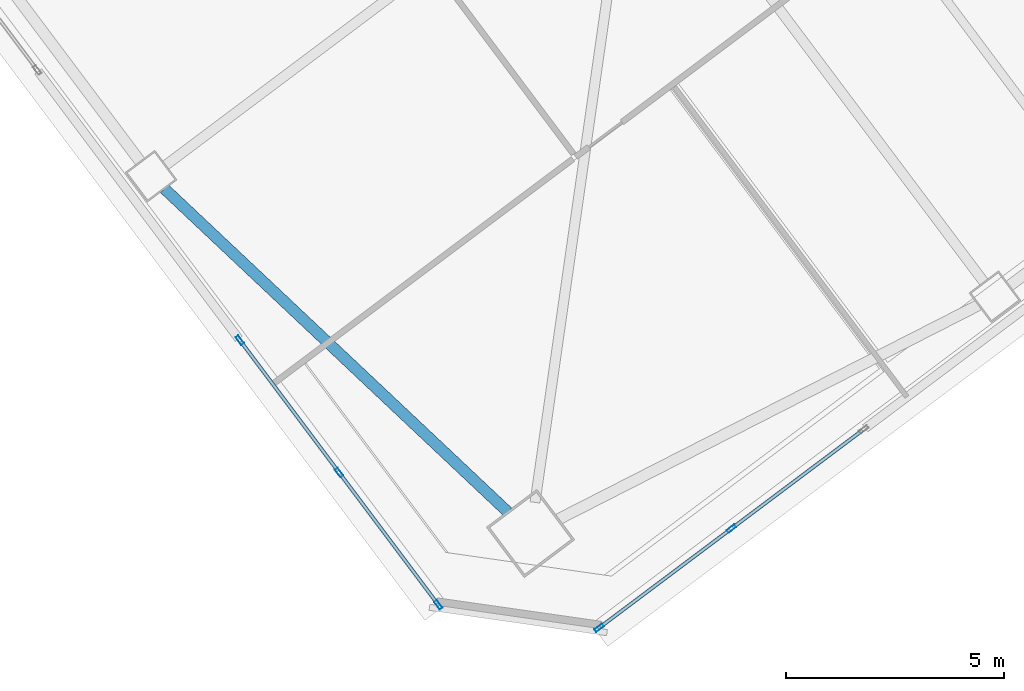
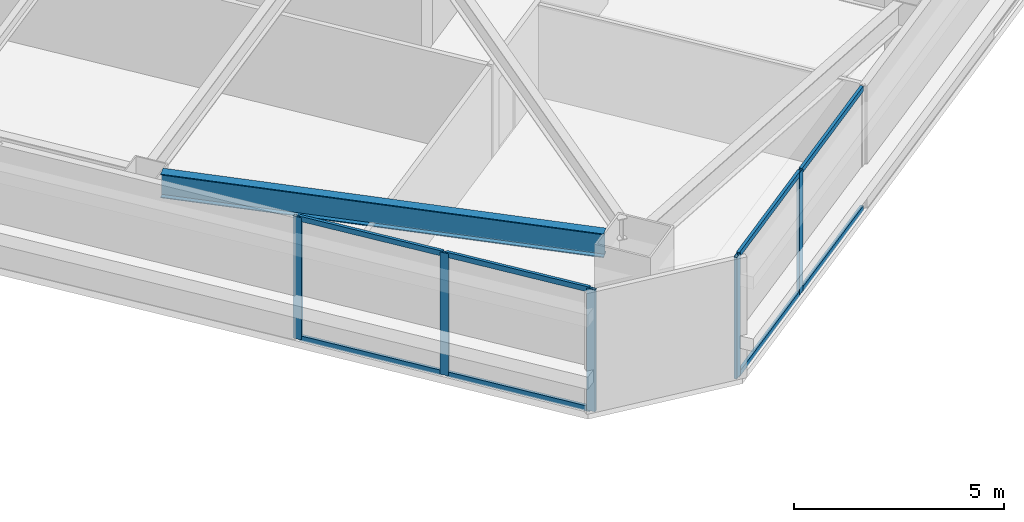
# One storey, part 17 of 44: 13 members, 1 beam, 2 elements without a shape of their own.
"""IFC4 building model written with IfcOpenShell, lengths in metres."""

from ifc_helpers import new_model, si_unit, direction, frame, origin, origin_2d, place, context, subcontext, project, spatial, hollow_rectangle, i_section, extrude, material, material_profile, profile_set, type_object, element, aggregate, save


model = new_model("IFC4")

# Units and contexts
model_context = context("Model", 3, precision=1e-05, world=origin(), true_north=direction((0.0, 1.0)))
body_context = subcontext(model_context, "Body", "Model", "MODEL_VIEW")
ifc_project = project(units=[si_unit("LENGTHUNIT", "METRE"), si_unit("AREAUNIT", "SQUARE_METRE"), si_unit("VOLUMEUNIT", "CUBIC_METRE"), si_unit("PLANEANGLEUNIT", "RADIAN"), si_unit("MASSUNIT", "GRAM", prefix="KILO")], contexts=[model_context])

# Site, building, storey
site_placement = place(None, origin())
site = spatial("IfcSite", under=ifc_project, at=site_placement, CompositionType="ELEMENT")
building_placement = place(site_placement, origin())
building = spatial("IfcBuilding", under=site, at=building_placement, Name="Tashvorn Skyway Center", CompositionType="ELEMENT")
storey_placement = place(building_placement, frame((0.0, 0.0, 95.60009765625)))
storey = spatial("IfcBuildingStorey", under=building, at=storey_placement, Name="L25", CompositionType="ELEMENT", Elevation=95.60009765625)

# Beam
ifc_material_1 = material(Name="Steel ASTM A992 Grade 50", Category="steel")
ifc_material_profile_1 = material_profile(ifc_material_1, i_section(OverallWidth=0.256103515625, OverallDepth=0.693115234375, WebThickness=0.014404296875, FlangeThickness=0.023681640625, at=origin_2d()), Name="W27X114")
ifc_profile_set_1 = profile_set([ifc_material_profile_1], Name="Steel ASTM A992 Grade 50")
beam_type = type_object("IfcBeamType", Name="BM-SPANDREL-W27X114", PredefinedType="SPANDREL", material=ifc_profile_set_1)
beam_placement = place(storey_placement, frame((102.145751953125, 15.842041015625, 3.00341796875), z_axis=(0.728086883893, -0.685484857238, 0.0), x_axis=(0.685484857238, 0.728086883893, 0.0)))
element("IfcBeam", 1, at=beam_placement, inside=storey, type_object=beam_type, Name="Tower 2 L25 Spandrel Beam 12", PredefinedType="SPANDREL", context=body_context, shape_type="SweptSolid", body=[
    extrude(i_section(OverallWidth=0.256103515625, OverallDepth=0.693115234375, WebThickness=0.014404296875, FlangeThickness=0.023681640625, at=origin_2d()), origin(), (0.0, 0.0, 1.0), 10.8369140625),
])

# Curtain wall, members
ifc_material_2 = material(Name="Thermally broken bronze-anodized aluminium 6063-T6", Category="aluminium")
curtain_wall_type = type_object("IfcCurtainWallType", Name="CW-CW-Z2", PredefinedType="NOTDEFINED", material=ifc_material_2)
curtain_wall_1_placement = place(storey_placement, origin())
curtain_wall_1 = element("IfcCurtainWall", 2, at=curtain_wall_1_placement, inside=storey, type_object=curtain_wall_type, Name="Tower 2 L25 South Unitised Curtain Wall Glazing Group 3", PredefinedType="NOTDEFINED")
ifc_material_profile_2 = material_profile(ifc_material_2, hollow_rectangle(XDim=0.080078125, YDim=0.219970703125, WallThickness=0.0048828125, at=origin_2d()), Name="ALU-MULL-80x220")
ifc_profile_set_2 = profile_set([ifc_material_profile_2], Name="Thermally broken bronze-anodized aluminium 6063-T6")
member_type_1 = type_object("IfcMemberType", Name="CWM-CW-Z2", PredefinedType="MULLION", material=ifc_profile_set_2)
member_1_placement = place(storey_placement, frame((115.176025390625, 8.031982421875, 0.0), z_axis=(0.0, 0.0, 1.0), x_axis=(0.600000000002, -0.799999999998, 0.0)))
member_1 = element("IfcMember", 3, at=member_1_placement, type_object=member_type_1, Name="CW-Z2 mullion 2", PredefinedType="MULLION", context=body_context, shape_type="SweptSolid", body=[
    extrude(hollow_rectangle(XDim=0.080078125, YDim=0.219970703125, WallThickness=0.0048828125, at=origin_2d()), origin(), (0.0, 0.0, 1.0), 3.5498046875),
])
member_2_placement = place(storey_placement, frame((112.135986328125, 5.751953125, 0.0), z_axis=(0.0, 0.0, 1.0), x_axis=(0.600000000002, -0.799999999998, 0.0)))
member_2 = element("IfcMember", 4, at=member_2_placement, type_object=member_type_1, Name="CW-Z2 mullion 3", PredefinedType="MULLION", context=body_context, shape_type="SweptSolid", body=[
    extrude(hollow_rectangle(XDim=0.080078125, YDim=0.219970703125, WallThickness=0.0048828125, at=origin_2d()), origin(), (0.0, 0.0, 1.0), 3.5498046875),
])

curtain_wall_2_placement = place(storey_placement, origin())
curtain_wall_2 = element("IfcCurtainWall", 5, at=curtain_wall_2_placement, inside=storey, type_object=curtain_wall_type, Name="Tower 2 L25 West Unitised Curtain Wall Glazing Group 1", PredefinedType="NOTDEFINED")
member_3_placement = place(storey_placement, frame((108.43994140625, 6.280029296875, 0.0), z_axis=(0.0, 0.0, 1.0), x_axis=(-0.799999999998, -0.600000000002, 0.0)))
member_3 = element("IfcMember", 6, at=member_3_placement, type_object=member_type_1, Name="CW-Z2 mullion 1", PredefinedType="MULLION", context=body_context, shape_type="SweptSolid", body=[
    extrude(hollow_rectangle(XDim=0.080078125, YDim=0.219970703125, WallThickness=0.0048828125, at=origin_2d()), origin(), (0.0, 0.0, 1.0), 3.5498046875),
])
member_4_placement = place(storey_placement, frame((106.159912109375, 9.320068359375, 0.0), z_axis=(0.0, 0.0, 1.0), x_axis=(-0.799999999998, -0.600000000002, 0.0)))
member_4 = element("IfcMember", 7, at=member_4_placement, type_object=member_type_1, Name="CW-Z2 mullion 2", PredefinedType="MULLION", context=body_context, shape_type="SweptSolid", body=[
    extrude(hollow_rectangle(XDim=0.080078125, YDim=0.219970703125, WallThickness=0.0048828125, at=origin_2d()), origin(), (0.0, 0.0, 1.0), 3.5498046875),
])
member_5_placement = place(storey_placement, frame((103.8798828125, 12.360107421875, 0.0), z_axis=(0.0, 0.0, 1.0), x_axis=(-0.799999999998, -0.600000000002, 0.0)))
member_5 = element("IfcMember", 8, at=member_5_placement, type_object=member_type_1, Name="CW-Z2 mullion 3", PredefinedType="MULLION", context=body_context, shape_type="SweptSolid", body=[
    extrude(hollow_rectangle(XDim=0.080078125, YDim=0.219970703125, WallThickness=0.0048828125, at=origin_2d()), origin(), (0.0, 0.0, 1.0), 3.5498046875),
])

# Member
ifc_material_profile_3 = material_profile(ifc_material_2, hollow_rectangle(XDim=0.080078125, YDim=0.14990234375, WallThickness=0.00439453125, at=origin_2d()), Name="ALU-TRAN-80x150")
ifc_profile_set_3 = profile_set([ifc_material_profile_3], Name="Thermally broken bronze-anodized aluminium 6063-T6")
member_type_2 = type_object("IfcMemberType", Name="CWT-CW-Z2", PredefinedType="USERDEFINED", material=ifc_profile_set_3)
member_6_placement = place(storey_placement, frame((118.18408203125, 10.2880859375, 0.039794921875), z_axis=(-0.799984249419, -0.6000210002, 0.0), x_axis=(0.6000210002, -0.799984249419, 0.0)))
member_6 = element("IfcMember", 9, at=member_6_placement, type_object=member_type_2, Name="CW-Z2 transom 1.1", ObjectType="TRANSOM", PredefinedType="USERDEFINED", context=body_context, shape_type="SweptSolid", body=[
    extrude(hollow_rectangle(XDim=0.080078125, YDim=0.14990234375, WallThickness=0.00439453125, at=origin_2d()), origin(), (0.0, 0.0, 1.0), 3.72021484375),
])

member_7_placement = place(storey_placement, frame((118.18408203125, 10.2880859375, 3.510009765625), z_axis=(-0.799984249419, -0.6000210002, 0.0), x_axis=(0.6000210002, -0.799984249419, 0.0)))
member_7 = element("IfcMember", 10, at=member_7_placement, type_object=member_type_2, Name="CW-Z2 transom 1.2", ObjectType="TRANSOM", PredefinedType="USERDEFINED", context=body_context, shape_type="SweptSolid", body=[
    extrude(hollow_rectangle(XDim=0.080078125, YDim=0.14990234375, WallThickness=0.00439453125, at=origin_2d()), origin(), (0.0, 0.0, 1.0), 3.72021484375),
])

member_8_placement = place(storey_placement, frame((115.14404296875, 8.008056640625, 0.039794921875), z_axis=(-0.799984249419, -0.6000210002, 0.0), x_axis=(0.6000210002, -0.799984249419, 0.0)))
member_8 = element("IfcMember", 11, at=member_8_placement, type_object=member_type_2, Name="CW-Z2 transom 2.1", ObjectType="TRANSOM", PredefinedType="USERDEFINED", context=body_context, shape_type="SweptSolid", body=[
    extrude(hollow_rectangle(XDim=0.080078125, YDim=0.14990234375, WallThickness=0.00439453125, at=origin_2d()), origin(), (0.0, 0.0, 1.0), 3.72021484375),
])

member_9_placement = place(storey_placement, frame((115.14404296875, 8.008056640625, 3.510009765625), z_axis=(-0.799984249419, -0.6000210002, 0.0), x_axis=(0.6000210002, -0.799984249419, 0.0)))
member_9 = element("IfcMember", 12, at=member_9_placement, type_object=member_type_2, Name="CW-Z2 transom 2.2", ObjectType="TRANSOM", PredefinedType="USERDEFINED", context=body_context, shape_type="SweptSolid", body=[
    extrude(hollow_rectangle(XDim=0.080078125, YDim=0.14990234375, WallThickness=0.00439453125, at=origin_2d()), origin(), (0.0, 0.0, 1.0), 3.72021484375),
])

aggregate(curtain_wall_1, [member_1, member_2, member_6, member_7, member_8, member_9])

member_10_placement = place(storey_placement, frame((108.416015625, 6.31201171875, 0.039794921875), z_axis=(-0.599978998559, 0.80001575065, 0.0), x_axis=(-0.80001575065, -0.599978998559, 0.0)))
member_10 = element("IfcMember", 13, at=member_10_placement, type_object=member_type_2, Name="CW-Z2 transom 1.1", ObjectType="TRANSOM", PredefinedType="USERDEFINED", context=body_context, shape_type="SweptSolid", body=[
    extrude(hollow_rectangle(XDim=0.080078125, YDim=0.14990234375, WallThickness=0.00439453125, at=origin_2d()), origin(), (0.0, 0.0, 1.0), 3.719970703125),
])

member_11_placement = place(storey_placement, frame((108.416015625, 6.31201171875, 3.510009765625), z_axis=(-0.599978998559, 0.80001575065, 0.0), x_axis=(-0.80001575065, -0.599978998559, 0.0)))
member_11 = element("IfcMember", 14, at=member_11_placement, type_object=member_type_2, Name="CW-Z2 transom 1.2", ObjectType="TRANSOM", PredefinedType="USERDEFINED", context=body_context, shape_type="SweptSolid", body=[
    extrude(hollow_rectangle(XDim=0.080078125, YDim=0.14990234375, WallThickness=0.00439453125, at=origin_2d()), origin(), (0.0, 0.0, 1.0), 3.719970703125),
])

member_12_placement = place(storey_placement, frame((106.135986328125, 9.35205078125, 0.039794921875), z_axis=(-0.600010501117, 0.799992124055, 0.0), x_axis=(-0.799992124055, -0.600010501117, 0.0)))
member_12 = element("IfcMember", 15, at=member_12_placement, type_object=member_type_2, Name="CW-Z2 transom 2.1", ObjectType="TRANSOM", PredefinedType="USERDEFINED", context=body_context, shape_type="SweptSolid", body=[
    extrude(hollow_rectangle(XDim=0.080078125, YDim=0.14990234375, WallThickness=0.00439453125, at=origin_2d()), origin(), (0.0, 0.0, 1.0), 3.7197265625),
])

member_13_placement = place(storey_placement, frame((106.135986328125, 9.35205078125, 3.510009765625), z_axis=(-0.600010501117, 0.799992124055, 0.0), x_axis=(-0.799992124055, -0.600010501117, 0.0)))
member_13 = element("IfcMember", 16, at=member_13_placement, type_object=member_type_2, Name="CW-Z2 transom 2.2", ObjectType="TRANSOM", PredefinedType="USERDEFINED", context=body_context, shape_type="SweptSolid", body=[
    extrude(hollow_rectangle(XDim=0.080078125, YDim=0.14990234375, WallThickness=0.00439453125, at=origin_2d()), origin(), (0.0, 0.0, 1.0), 3.7197265625),
])

aggregate(curtain_wall_2, [member_3, member_4, member_5, member_10, member_11, member_12, member_13])

save(model, "model.ifc")
